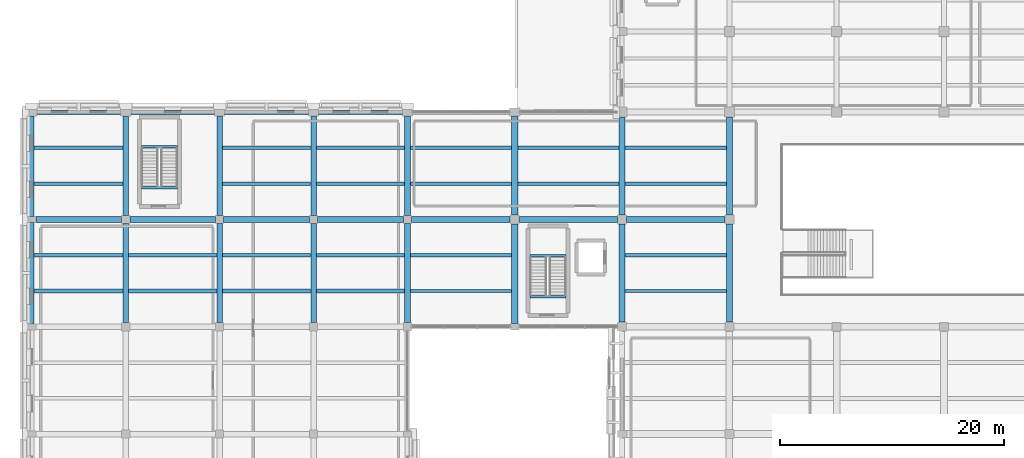
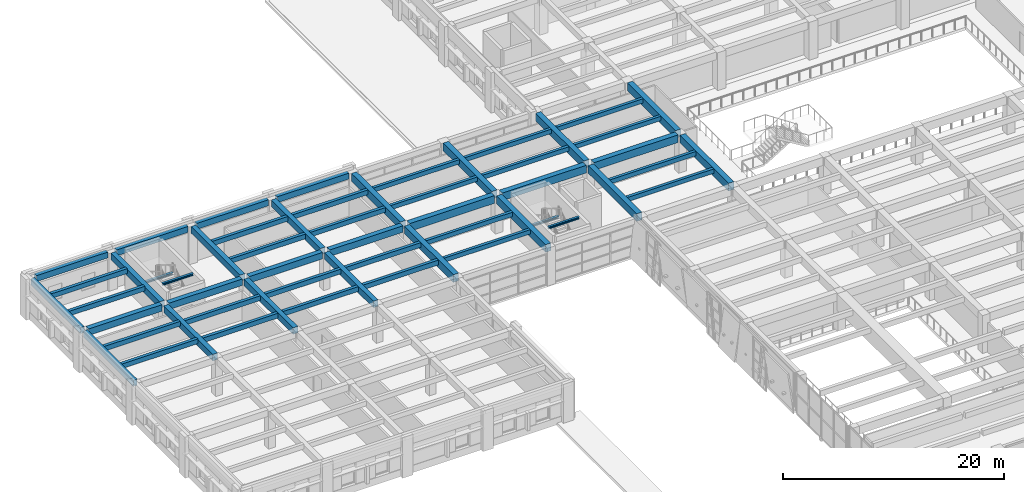
# One storey, part 15 of 49: 55 beams.
"""IFC4 building model written with IfcOpenShell, lengths in metres."""

from ifc_helpers import new_model, si_unit, direction, frame, origin, origin_2d, place, context, subcontext, project, spatial, rectangle, i_section, extrude, material, material_profile, profile_set, type_object, element, save


model = new_model("IFC4")

# Units and contexts
model_context = context("Model", 3, precision=1e-05, world=origin(), true_north=direction((0.0, 1.0)))
body_context = subcontext(model_context, "Body", "Model", "MODEL_VIEW")
ifc_project = project(units=[si_unit("LENGTHUNIT", "METRE"), si_unit("AREAUNIT", "SQUARE_METRE"), si_unit("VOLUMEUNIT", "CUBIC_METRE"), si_unit("PLANEANGLEUNIT", "RADIAN"), si_unit("MASSUNIT", "GRAM", prefix="KILO")], contexts=[model_context])

# Site, building, storey
site_placement = place(None, origin())
site = spatial("IfcSite", under=ifc_project, at=site_placement, CompositionType="ELEMENT")
building_placement = place(site_placement, origin())
building = spatial("IfcBuilding", under=site, at=building_placement, Name="Bempovik Park Faculty of Sciences", CompositionType="ELEMENT")
storey_placement = place(building_placement, frame((0.0, 0.0, 5.39990234375)))
storey = spatial("IfcBuildingStorey", under=building, at=storey_placement, Name="L01", CompositionType="ELEMENT", Elevation=5.39990234375)

# Beams
ifc_material_1 = material(Name="Concrete C35/45", Category="concrete")
ifc_material_profile_1 = material_profile(ifc_material_1, rectangle(XDim=0.320068359375, YDim=0.52001953125, at=origin_2d()), Name="RC 320x520")
ifc_profile_set_1 = profile_set([ifc_material_profile_1], Name="Concrete C35/45")
beam_type_1 = type_object("IfcBeamType", Name="B-028 RC 320x520", PredefinedType="JOIST", material=ifc_profile_set_1)
for number, where, z_axis, x_axis, name in (
    (1, (7.406005859375, 71.0, 4.02001953125), (1.0, 0.0, 0.0), (0.0, 1.0, 0.0), "L01 Secondary Joist (7.2-15.6, y=71.00)"),
    (2, (7.406005859375, 74.199951171875, 4.02001953125), (1.0, 0.0, 0.0), (0.0, 1.0, 0.0), "L01 Secondary Joist (7.2-15.6, y=74.20)"),
    (3, (7.406005859375, 80.60009765625, 4.02001953125), (1.0, 0.0, 0.0), (0.0, 1.0, 0.0), "L01 Secondary Joist (7.2-15.6, y=80.60)"),
    (4, (7.406005859375, 83.800048828125, 4.02001953125), (1.0, 0.0, 0.0), (0.0, 1.0, 0.0), "L01 Secondary Joist (7.2-15.6, y=83.80)"),
):
    element("IfcBeam", number, at=place(storey_placement, frame(where, z_axis=z_axis, x_axis=x_axis)), inside=storey, type_object=beam_type_1, Name=name, PredefinedType="JOIST", context=body_context, shape_type="SweptSolid", body=[
        extrude(rectangle(XDim=0.320068359375, YDim=0.52001953125, at=origin_2d()), origin(), (0.0, 0.0, 1.0), 7.93798828125),
    ])
for number, where, z_axis, x_axis, name in (
    (5, (15.85595703125, 71.0, 3.920166015625), (1.0, 0.0, 0.0), (0.0, 1.0, 0.0), "L01 Secondary Joist (15.6-24.0, y=71.00)"),
    (6, (15.85595703125, 74.199951171875, 3.920166015625), (1.0, 0.0, 0.0), (0.0, 1.0, 0.0), "L01 Secondary Joist (15.6-24.0, y=74.20)"),
    (7, (24.256103515625, 71.0, 3.920166015625), (1.0, 0.0, 0.0), (0.0, 1.0, 0.0), "L01 Secondary Joist (24.0-32.4, y=71.00)"),
    (8, (24.256103515625, 74.199951171875, 3.920166015625), (1.0, 0.0, 0.0), (0.0, 1.0, 0.0), "L01 Secondary Joist (24.0-32.4, y=74.20)"),
    (9, (24.256103515625, 80.60009765625, 3.920166015625), (1.0, 0.0, 0.0), (0.0, 1.0, 0.0), "L01 Secondary Joist (24.0-32.4, y=80.60)"),
    (10, (24.256103515625, 83.800048828125, 3.920166015625), (1.0, 0.0, 0.0), (0.0, 1.0, 0.0), "L01 Secondary Joist (24.0-32.4, y=83.80)"),
):
    element("IfcBeam", number, at=place(storey_placement, frame(where, z_axis=z_axis, x_axis=x_axis)), inside=storey, type_object=beam_type_1, Name=name, PredefinedType="JOIST", context=body_context, shape_type="SweptSolid", body=[
        extrude(rectangle(XDim=0.320068359375, YDim=0.52001953125, at=origin_2d()), origin(), (0.0, 0.0, 1.0), 7.887939453125),
    ])
for number, where, z_axis, x_axis, name in (
    (11, (32.656005859375, 71.0, 3.920166015625), (1.0, 0.0, 0.0), (0.0, 1.0, 0.0), "L01 Secondary Joist (32.4-40.8, y=71.00)"),
    (12, (32.656005859375, 74.199951171875, 3.920166015625), (1.0, 0.0, 0.0), (0.0, 1.0, 0.0), "L01 Secondary Joist (32.4-40.8, y=74.20)"),
    (13, (32.656005859375, 80.60009765625, 3.920166015625), (1.0, 0.0, 0.0), (0.0, 1.0, 0.0), "L01 Secondary Joist (32.4-40.8, y=80.60)"),
    (14, (32.656005859375, 83.800048828125, 3.920166015625), (1.0, 0.0, 0.0), (0.0, 1.0, 0.0), "L01 Secondary Joist (32.4-40.8, y=83.80)"),
):
    element("IfcBeam", number, at=place(storey_placement, frame(where, z_axis=z_axis, x_axis=x_axis)), inside=storey, type_object=beam_type_1, Name=name, PredefinedType="JOIST", context=body_context, shape_type="SweptSolid", body=[
        extrude(rectangle(XDim=0.320068359375, YDim=0.52001953125, at=origin_2d()), origin(), (0.0, 0.0, 1.0), 7.863037109375),
    ])
ifc_material_profile_2 = material_profile(ifc_material_1, rectangle(XDim=0.300048828125, YDim=0.47998046875, at=origin_2d()), Name="RC 300x480")
ifc_profile_set_2 = profile_set([ifc_material_profile_2], Name="Concrete C35/45")
beam_type_2 = type_object("IfcBeamType", Name="B-039 RC 300x480", PredefinedType="JOIST", material=ifc_profile_set_2)
for number, where, z_axis, x_axis, name in (
    (15, (41.0810546875, 71.0, 3.940185546875), (1.0, 0.0, 0.0), (0.0, 1.0, 0.0), "L01 Secondary Joist (40.8-50.4, y=71.00)"),
    (16, (41.0810546875, 74.199951171875, 3.940185546875), (1.0, 0.0, 0.0), (0.0, 1.0, 0.0), "L01 Secondary Joist (40.8-50.4, y=74.20)"),
    (17, (41.0810546875, 80.60009765625, 3.940185546875), (1.0, 0.0, 0.0), (0.0, 1.0, 0.0), "L01 Secondary Joist (40.8-50.4, y=80.60)"),
    (18, (41.0810546875, 83.800048828125, 3.940185546875), (1.0, 0.0, 0.0), (0.0, 1.0, 0.0), "L01 Secondary Joist (40.8-50.4, y=83.80)"),
):
    element("IfcBeam", number, at=place(storey_placement, frame(where, z_axis=z_axis, x_axis=x_axis)), inside=storey, type_object=beam_type_2, Name=name, PredefinedType="JOIST", context=body_context, shape_type="SweptSolid", body=[
        extrude(rectangle(XDim=0.300048828125, YDim=0.47998046875, at=origin_2d()), origin(), (0.0, 0.0, 1.0), 9.037841796875),
    ])
for number, where, z_axis, x_axis, name in (
    (19, (50.680908203125, 80.60009765625, 3.940185546875), (1.0, 0.0, 0.0), (0.0, 1.0, 0.0), "L01 Secondary Joist (50.4-60.0, y=80.60)"),
    (20, (50.680908203125, 83.800048828125, 3.940185546875), (1.0, 0.0, 0.0), (0.0, 1.0, 0.0), "L01 Secondary Joist (50.4-60.0, y=83.80)"),
    (21, (60.281005859375, 71.0, 3.940185546875), (1.0, 0.0, 0.0), (0.0, 1.0, 0.0), "L01 Secondary Joist (60.0-69.6, y=71.00)"),
    (22, (60.281005859375, 74.199951171875, 3.940185546875), (1.0, 0.0, 0.0), (0.0, 1.0, 0.0), "L01 Secondary Joist (60.0-69.6, y=74.20)"),
    (23, (60.281005859375, 80.60009765625, 3.940185546875), (1.0, 0.0, 0.0), (0.0, 1.0, 0.0), "L01 Secondary Joist (60.0-69.6, y=80.60)"),
    (24, (60.281005859375, 83.800048828125, 3.940185546875), (1.0, 0.0, 0.0), (0.0, 1.0, 0.0), "L01 Secondary Joist (60.0-69.6, y=83.80)"),
):
    element("IfcBeam", number, at=place(storey_placement, frame(where, z_axis=z_axis, x_axis=x_axis)), inside=storey, type_object=beam_type_2, Name=name, PredefinedType="JOIST", context=body_context, shape_type="SweptSolid", body=[
        extrude(rectangle(XDim=0.300048828125, YDim=0.47998046875, at=origin_2d()), origin(), (0.0, 0.0, 1.0), 9.0380859375),
    ])
ifc_material_2 = material(Name="Steel S355", Category="steel")
ifc_material_profile_3 = material_profile(ifc_material_2, i_section(OverallWidth=0.239990234375, OverallDepth=0.22998046875, WebThickness=0.007568359375, FlangeThickness=0.011962890625, at=origin_2d()), Name="HEA 240")
ifc_profile_set_3 = profile_set([ifc_material_profile_3], Name="Steel S355")
beam_type_3 = type_object("IfcBeamType", Name="B-070 HEA 240", PredefinedType="BEAM", material=ifc_profile_set_3)
for number, where, z_axis, x_axis, name in (
    (25, (17.006103515625, 83.89990234375, 1.93505859375), (1.0, 0.0, 0.0), (0.0, 1.0, 0.0), "L01 ST-3 Half-Landing Trimmer Beam"),
    (26, (17.006103515625, 80.22509765625, 4.065185546875), (1.0, 0.0, 0.0), (0.0, 1.0, 0.0), "L02 ST-3 Floor Landing Trimmer Beam"),
    (27, (51.756103515625, 74.14990234375, 1.93505859375), (1.0, 0.0, 0.0), (0.0, 1.0, 0.0), "L01 ST-4 Half-Landing Trimmer Beam"),
    (28, (51.756103515625, 70.47509765625, 4.065185546875), (1.0, 0.0, 0.0), (0.0, 1.0, 0.0), "L02 ST-4 Floor Landing Trimmer Beam"),
):
    element("IfcBeam", number, at=place(storey_placement, frame(where, z_axis=z_axis, x_axis=x_axis)), inside=storey, type_object=beam_type_3, Name=name, PredefinedType="BEAM", context=body_context, shape_type="SweptSolid", body=[
        extrude(i_section(OverallWidth=0.239990234375, OverallDepth=0.22998046875, WebThickness=0.007568359375, FlangeThickness=0.011962890625, at=origin_2d()), origin(), (0.0, 0.0, 1.0), 3.23779296875),
    ])
ifc_material_3 = material(Name="Concrete C40/50", Category="concrete")
ifc_material_profile_4 = material_profile(ifc_material_3, rectangle(XDim=0.550048828125, YDim=0.85009765625, at=origin_2d()), Name="RC 550x850")
ifc_profile_set_4 = profile_set([ifc_material_profile_4], Name="Concrete C40/50")
beam_type_4 = type_object("IfcBeamType", Name="B-080 RC 550x850", PredefinedType="BEAM", material=ifc_profile_set_4)
beam_1_placement = place(storey_placement, frame((41.166015625, 77.39990234375, 3.755126953125), z_axis=(1.0, 0.0, 0.0), x_axis=(0.0, 1.0, 0.0)))
element("IfcBeam", 29, at=beam_1_placement, inside=storey, type_object=beam_type_4, Name="L01 Beam X (40.8-50.4, y=77.4)", PredefinedType="BEAM", context=body_context, shape_type="SweptSolid", body=[
    extrude(rectangle(XDim=0.550048828125, YDim=0.85009765625, at=origin_2d()), origin(), (0.0, 0.0, 1.0), 8.827880859375),
])
for number, where, z_axis, x_axis, name in (
    (30, (50.805908203125, 77.39990234375, 3.755126953125), (1.0, 0.0, 0.0), (0.0, 1.0, 0.0), "L01 Beam X (50.4-60.0, y=77.4)"),
    (31, (60.406005859375, 77.39990234375, 3.755126953125), (1.0, 0.0, 0.0), (0.0, 1.0, 0.0), "L01 Beam X (60.0-69.6, y=77.4)"),
):
    element("IfcBeam", number, at=place(storey_placement, frame(where, z_axis=z_axis, x_axis=x_axis)), inside=storey, type_object=beam_type_4, Name=name, PredefinedType="BEAM", context=body_context, shape_type="SweptSolid", body=[
        extrude(rectangle(XDim=0.550048828125, YDim=0.85009765625, at=origin_2d()), origin(), (0.0, 0.0, 1.0), 8.7880859375),
    ])
beam_2_placement = place(storey_placement, frame((40.800048828125, 68.166015625, 3.755126953125), z_axis=(0.0, 1.0, 0.0), x_axis=(-1.0, 0.0, 0.0)))
element("IfcBeam", 32, at=beam_2_placement, inside=storey, type_object=beam_type_4, Name="L01 Beam Y (x=40.8, 67.8-77.4)", PredefinedType="BEAM", context=body_context, shape_type="SweptSolid", body=[
    extrude(rectangle(XDim=0.550048828125, YDim=0.85009765625, at=origin_2d()), origin(), (0.0, 0.0, 1.0), 8.867919921875),
])
beam_3_placement = place(storey_placement, frame((40.800048828125, 77.76611328125, 3.755126953125), z_axis=(0.0, 1.0, 0.0), x_axis=(-1.0, 0.0, 0.0)))
element("IfcBeam", 33, at=beam_3_placement, inside=storey, type_object=beam_type_4, Name="L01 Beam Y (x=40.8, 77.4-87.0)", PredefinedType="BEAM", context=body_context, shape_type="SweptSolid", body=[
    extrude(rectangle(XDim=0.550048828125, YDim=0.85009765625, at=origin_2d()), origin(), (0.0, 0.0, 1.0), 8.8779296875),
])
beam_4_placement = place(storey_placement, frame((50.39990234375, 68.10595703125, 3.755126953125), z_axis=(0.0, 1.0, 0.0), x_axis=(-1.0, 0.0, 0.0)))
element("IfcBeam", 34, at=beam_4_placement, inside=storey, type_object=beam_type_4, Name="L01 Beam Y (x=50.4, 67.8-77.4)", PredefinedType="BEAM", context=body_context, shape_type="SweptSolid", body=[
    extrude(rectangle(XDim=0.550048828125, YDim=0.85009765625, at=origin_2d()), origin(), (0.0, 0.0, 1.0), 8.887939453125),
])
beam_5_placement = place(storey_placement, frame((50.39990234375, 77.805908203125, 3.755126953125), z_axis=(0.0, 1.0, 0.0), x_axis=(-1.0, 0.0, 0.0)))
element("IfcBeam", 35, at=beam_5_placement, inside=storey, type_object=beam_type_4, Name="L01 Beam Y (x=50.4, 77.4-87.0)", PredefinedType="BEAM", context=body_context, shape_type="SweptSolid", body=[
    extrude(rectangle(XDim=0.550048828125, YDim=0.85009765625, at=origin_2d()), origin(), (0.0, 0.0, 1.0), 8.838134765625),
])
beam_6_placement = place(storey_placement, frame((60.0, 68.2060546875, 3.755126953125), z_axis=(0.0, 1.0, 0.0), x_axis=(-1.0, 0.0, 0.0)))
element("IfcBeam", 36, at=beam_6_placement, inside=storey, type_object=beam_type_4, Name="L01 Beam Y (x=60.0, 67.8-77.4)", PredefinedType="BEAM", context=body_context, shape_type="SweptSolid", body=[
    extrude(rectangle(XDim=0.550048828125, YDim=0.85009765625, at=origin_2d()), origin(), (0.0, 0.0, 1.0), 8.787841796875),
])
beam_7_placement = place(storey_placement, frame((60.0, 77.805908203125, 3.755126953125), z_axis=(0.0, 1.0, 0.0), x_axis=(-1.0, 0.0, 0.0)))
element("IfcBeam", 37, at=beam_7_placement, inside=storey, type_object=beam_type_4, Name="L01 Beam Y (x=60.0, 77.4-87.0)", PredefinedType="BEAM", context=body_context, shape_type="SweptSolid", body=[
    extrude(rectangle(XDim=0.550048828125, YDim=0.85009765625, at=origin_2d()), origin(), (0.0, 0.0, 1.0), 8.738037109375),
])
beam_8_placement = place(storey_placement, frame((69.60009765625, 68.2060546875, 3.755126953125), z_axis=(0.0, 1.0, 0.0), x_axis=(-1.0, 0.0, 0.0)))
element("IfcBeam", 38, at=beam_8_placement, inside=storey, type_object=beam_type_4, Name="L01 Beam Y (x=69.6, 67.8-77.4)", PredefinedType="BEAM", context=body_context, shape_type="SweptSolid", body=[
    extrude(rectangle(XDim=0.550048828125, YDim=0.85009765625, at=origin_2d()), origin(), (0.0, 0.0, 1.0), 8.787841796875),
])
beam_9_placement = place(storey_placement, frame((69.60009765625, 77.805908203125, 3.755126953125), z_axis=(0.0, 1.0, 0.0), x_axis=(-1.0, 0.0, 0.0)))
element("IfcBeam", 39, at=beam_9_placement, inside=storey, type_object=beam_type_4, Name="L01 Beam Y (x=69.6, 77.4-87.0)", PredefinedType="BEAM", context=body_context, shape_type="SweptSolid", body=[
    extrude(rectangle(XDim=0.550048828125, YDim=0.85009765625, at=origin_2d()), origin(), (0.0, 0.0, 1.0), 8.738037109375),
])
ifc_material_profile_5 = material_profile(ifc_material_1, rectangle(XDim=0.5, YDim=0.719970703125, at=origin_2d()), Name="RC 500x720")
ifc_profile_set_5 = profile_set([ifc_material_profile_5], Name="Concrete C35/45")
beam_type_5 = type_object("IfcBeamType", Name="B-092 RC 500x720", PredefinedType="BEAM", material=ifc_profile_set_5)
for number, where, z_axis, x_axis, name in (
    (40, (7.56591796875, 77.39990234375, 3.920166015625), (1.0, 0.0, 0.0), (0.0, 1.0, 0.0), "L01 Beam X (7.2-15.6, y=77.4)"),
    (41, (15.966064453125, 77.39990234375, 3.820068359375), (1.0, 0.0, 0.0), (0.0, 1.0, 0.0), "L01 Beam X (15.6-24.0, y=77.4)"),
    (42, (24.365966796875, 77.39990234375, 3.820068359375), (1.0, 0.0, 0.0), (0.0, 1.0, 0.0), "L01 Beam X (24.0-32.4, y=77.4)"),
    (43, (32.76611328125, 77.39990234375, 3.820068359375), (1.0, 0.0, 0.0), (0.0, 1.0, 0.0), "L01 Beam X (32.4-40.8, y=77.4)"),
):
    element("IfcBeam", number, at=place(storey_placement, frame(where, z_axis=z_axis, x_axis=x_axis)), inside=storey, type_object=beam_type_5, Name=name, PredefinedType="BEAM", context=body_context, shape_type="SweptSolid", body=[
        extrude(rectangle(XDim=0.5, YDim=0.719970703125, at=origin_2d()), origin(), (0.0, 0.0, 1.0), 7.66796875),
    ])
beam_10_placement = place(storey_placement, frame((15.60009765625, 68.166015625, 3.820068359375), z_axis=(0.0, 1.0, 0.0), x_axis=(-1.0, 0.0, 0.0)))
element("IfcBeam", 44, at=beam_10_placement, inside=storey, type_object=beam_type_5, Name="L01 Beam Y (x=15.6, 67.8-77.4)", PredefinedType="BEAM", context=body_context, shape_type="SweptSolid", body=[
    extrude(rectangle(XDim=0.5, YDim=0.719970703125, at=origin_2d()), origin(), (0.0, 0.0, 1.0), 8.867919921875),
])
beam_11_placement = place(storey_placement, frame((15.60009765625, 77.76611328125, 3.820068359375), z_axis=(0.0, 1.0, 0.0), x_axis=(-1.0, 0.0, 0.0)))
element("IfcBeam", 45, at=beam_11_placement, inside=storey, type_object=beam_type_5, Name="L01 Beam Y (x=15.6, 77.4-87.0)", PredefinedType="BEAM", context=body_context, shape_type="SweptSolid", body=[
    extrude(rectangle(XDim=0.5, YDim=0.719970703125, at=origin_2d()), origin(), (0.0, 0.0, 1.0), 8.8779296875),
])
beam_12_placement = place(storey_placement, frame((24.0, 68.166015625, 3.820068359375), z_axis=(0.0, 1.0, 0.0), x_axis=(-1.0, 0.0, 0.0)))
element("IfcBeam", 46, at=beam_12_placement, inside=storey, type_object=beam_type_5, Name="L01 Beam Y (x=24.0, 67.8-77.4)", PredefinedType="BEAM", context=body_context, shape_type="SweptSolid", body=[
    extrude(rectangle(XDim=0.5, YDim=0.719970703125, at=origin_2d()), origin(), (0.0, 0.0, 1.0), 8.867919921875),
])
beam_13_placement = place(storey_placement, frame((24.0, 77.76611328125, 3.820068359375), z_axis=(0.0, 1.0, 0.0), x_axis=(-1.0, 0.0, 0.0)))
element("IfcBeam", 47, at=beam_13_placement, inside=storey, type_object=beam_type_5, Name="L01 Beam Y (x=24.0, 77.4-87.0)", PredefinedType="BEAM", context=body_context, shape_type="SweptSolid", body=[
    extrude(rectangle(XDim=0.5, YDim=0.719970703125, at=origin_2d()), origin(), (0.0, 0.0, 1.0), 8.8779296875),
])
beam_14_placement = place(storey_placement, frame((32.39990234375, 68.166015625, 3.820068359375), z_axis=(0.0, 1.0, 0.0), x_axis=(-1.0, 0.0, 0.0)))
element("IfcBeam", 48, at=beam_14_placement, inside=storey, type_object=beam_type_5, Name="L01 Beam Y (x=32.4, 67.8-77.4)", PredefinedType="BEAM", context=body_context, shape_type="SweptSolid", body=[
    extrude(rectangle(XDim=0.5, YDim=0.719970703125, at=origin_2d()), origin(), (0.0, 0.0, 1.0), 8.867919921875),
])
beam_15_placement = place(storey_placement, frame((32.39990234375, 77.76611328125, 3.820068359375), z_axis=(0.0, 1.0, 0.0), x_axis=(-1.0, 0.0, 0.0)))
element("IfcBeam", 49, at=beam_15_placement, inside=storey, type_object=beam_type_5, Name="L01 Beam Y (x=32.4, 77.4-87.0)", PredefinedType="BEAM", context=body_context, shape_type="SweptSolid", body=[
    extrude(rectangle(XDim=0.5, YDim=0.719970703125, at=origin_2d()), origin(), (0.0, 0.0, 1.0), 8.8779296875),
])
ifc_material_profile_6 = material_profile(ifc_material_1, rectangle(XDim=0.39990234375, YDim=0.659912109375, at=origin_2d()), Name="RC 400x660")
ifc_profile_set_6 = profile_set([ifc_material_profile_6], Name="Concrete C35/45")
beam_type_6 = type_object("IfcBeamType", Name="B-097 RC 400x660", PredefinedType="SPANDREL", material=ifc_profile_set_6)
for number, where, z_axis, x_axis, name in (
    (50, (7.656005859375, 87.0, 3.9501953125), (1.0, 0.0, 0.0), (0.0, 1.0, 0.0), "L01 Beam X (7.2-15.6, y=87.0)"),
    (51, (16.055908203125, 87.0, 3.85009765625), (1.0, 0.0, 0.0), (0.0, 1.0, 0.0), "L01 Beam X (15.6-24.0, y=87.0)"),
    (52, (24.4560546875, 87.0, 3.85009765625), (1.0, 0.0, 0.0), (0.0, 1.0, 0.0), "L01 Beam X (24.0-32.4, y=87.0)"),
    (53, (32.85595703125, 87.0, 3.85009765625), (1.0, 0.0, 0.0), (0.0, 1.0, 0.0), "L01 Beam X (32.4-40.8, y=87.0)"),
):
    element("IfcBeam", number, at=place(storey_placement, frame(where, z_axis=z_axis, x_axis=x_axis)), inside=storey, type_object=beam_type_6, Name=name, PredefinedType="SPANDREL", context=body_context, shape_type="SweptSolid", body=[
        extrude(rectangle(XDim=0.39990234375, YDim=0.659912109375, at=origin_2d()), origin(), (0.0, 0.0, 1.0), 7.488037109375),
    ])
beam_16_placement = place(storey_placement, frame((7.199951171875, 68.075927734375, 3.9501953125), z_axis=(0.0, 1.0, 0.0), x_axis=(-1.0, 0.0, 0.0)))
element("IfcBeam", 54, at=beam_16_placement, inside=storey, type_object=beam_type_6, Name="L01 Beam Y (x=7.2, 67.8-77.4)", PredefinedType="SPANDREL", context=body_context, shape_type="SweptSolid", body=[
    extrude(rectangle(XDim=0.39990234375, YDim=0.659912109375, at=origin_2d()), origin(), (0.0, 0.0, 1.0), 9.048095703125),
])
beam_17_placement = place(storey_placement, frame((7.199951171875, 77.676025390625, 3.9501953125), z_axis=(0.0, 1.0, 0.0), x_axis=(-1.0, 0.0, 0.0)))
element("IfcBeam", 55, at=beam_17_placement, inside=storey, type_object=beam_type_6, Name="L01 Beam Y (x=7.2, 77.4-87.0)", PredefinedType="SPANDREL", context=body_context, shape_type="SweptSolid", body=[
    extrude(rectangle(XDim=0.39990234375, YDim=0.659912109375, at=origin_2d()), origin(), (0.0, 0.0, 1.0), 8.968017578125),
])

save(model, "model.ifc")
